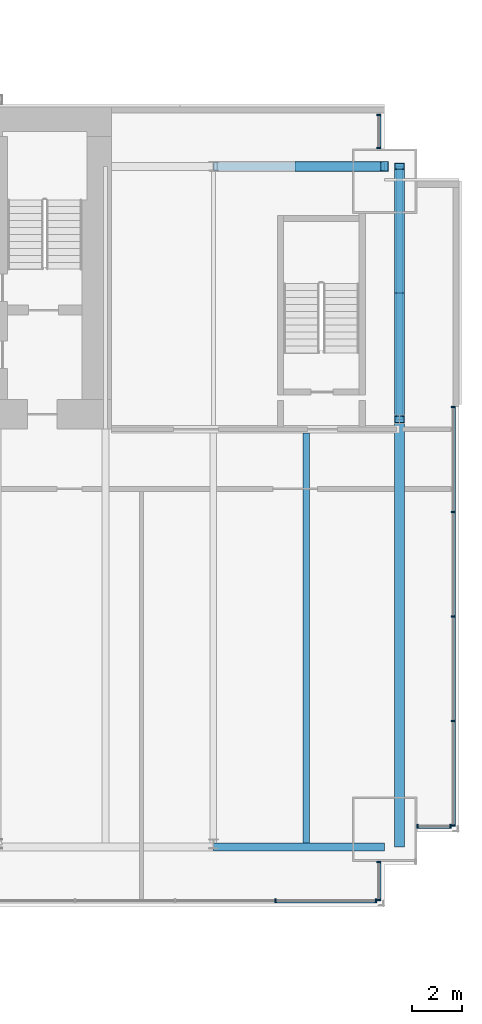
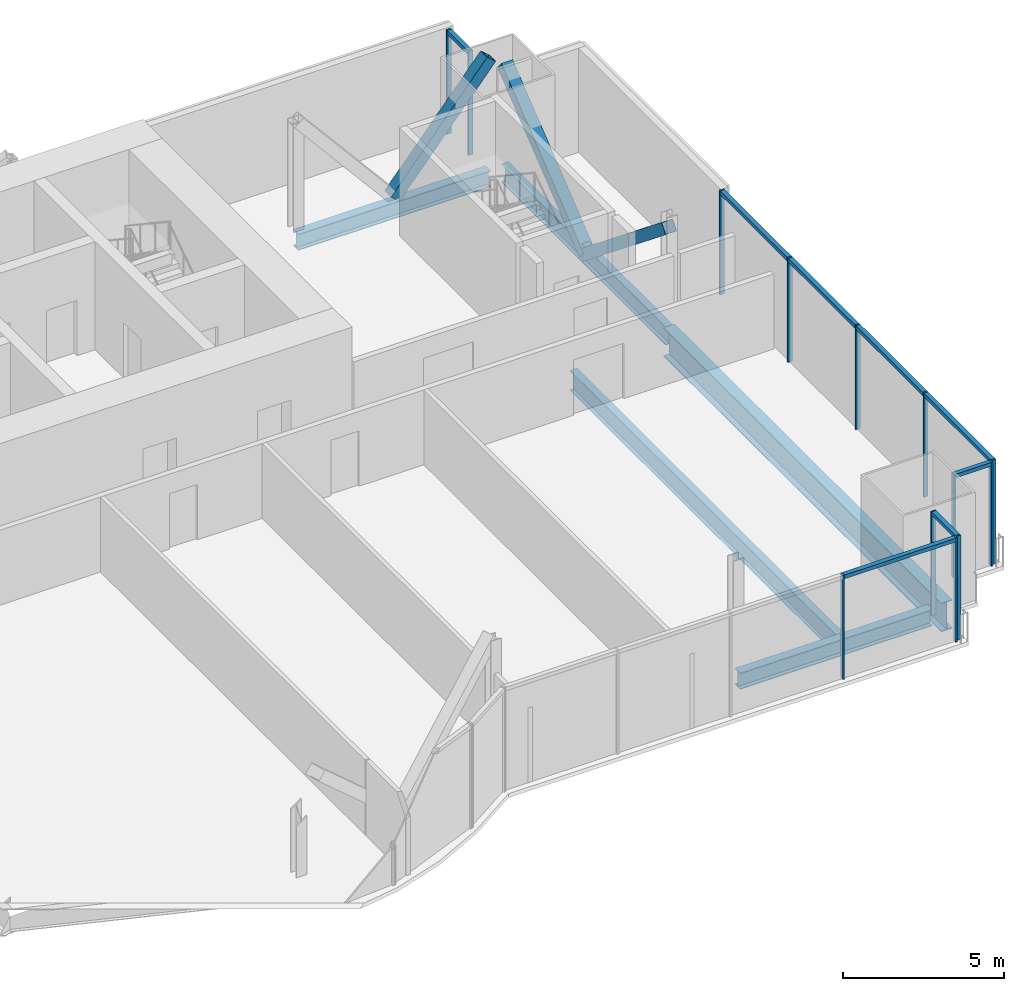
# One storey, part 12 of 20: 24 members, 5 beams, 5 elements without a shape of their own.
"""IFC4 building model written with IfcOpenShell, lengths in metres."""

from ifc_helpers import new_model, si_unit, direction, frame, origin, origin_2d, place, context, subcontext, project, spatial, rectangle, hollow_rectangle, i_section, extrude, material, material_profile, profile_set, type_object, element, aggregate, save


model = new_model("IFC4")

# Units and contexts
model_context = context("Model", 3, precision=1e-05, world=origin(), true_north=direction((0.0, 1.0)))
body_context = subcontext(model_context, "Body", "Model", "MODEL_VIEW")
ifc_project = project(units=[si_unit("LENGTHUNIT", "METRE"), si_unit("AREAUNIT", "SQUARE_METRE"), si_unit("VOLUMEUNIT", "CUBIC_METRE"), si_unit("PLANEANGLEUNIT", "RADIAN"), si_unit("MASSUNIT", "GRAM", prefix="KILO")], contexts=[model_context])

# Site, building, storey
site_placement = place(None, origin())
site = spatial("IfcSite", under=ifc_project, at=site_placement, CompositionType="ELEMENT")
building_placement = place(site_placement, origin())
building = spatial("IfcBuilding", under=site, at=building_placement, Name="Bicima Exchange Tower", CompositionType="ELEMENT")
storey_placement = place(building_placement, frame((0.0, 0.0, 207.300048828125)))
storey = spatial("IfcBuildingStorey", under=building, at=storey_placement, Name="L46", CompositionType="ELEMENT", Elevation=207.300048828125)

# Curtain wall, members
ifc_material_1 = material(Name="Anodised bronze aluminium", Category="aluminium")
curtain_wall_type_1 = type_object("IfcCurtainWallType", Name="End face glass wall", PredefinedType="NOTDEFINED", material=ifc_material_1)
curtain_wall_1_placement = place(storey_placement, origin())
curtain_wall_1 = element("IfcCurtainWall", 1, at=curtain_wall_1_placement, inside=storey, type_object=curtain_wall_type_1, Name="End face glass wall L46 run 19", PredefinedType="NOTDEFINED")
ifc_material_profile_1 = material_profile(ifc_material_1, rectangle(XDim=0.159912109375, YDim=0.06005859375, at=origin_2d()))
ifc_profile_set_1 = profile_set([ifc_material_profile_1], Name="Anodised bronze aluminium")
member_type_1 = type_object("IfcMemberType", Name="End face glass wall mullion 60 x 160", PredefinedType="MULLION", material=ifc_profile_set_1)
member_1_placement = place(storey_placement, frame((35.77001953125, -28.97998046875, 0.0), z_axis=(0.0, 0.0, 1.0), x_axis=(-1.0, 0.0, 0.0)))
member_1 = element("IfcMember", 2, at=member_1_placement, type_object=member_type_1, Name="End face glass wall mullion 1", PredefinedType="MULLION", context=body_context, shape_type="SweptSolid", body=[
    extrude(rectangle(XDim=0.159912109375, YDim=0.06005859375, at=origin_2d()), origin(), (0.0, 0.0, 1.0), 3.949951171875),
])
member_2_placement = place(storey_placement, frame((35.77001953125, -24.762451171875, 0.0), z_axis=(0.0, 0.0, 1.0), x_axis=(-1.0, 0.0, 0.0)))
member_2 = element("IfcMember", 3, at=member_2_placement, type_object=member_type_1, Name="End face glass wall mullion 2", PredefinedType="MULLION", context=body_context, shape_type="SweptSolid", body=[
    extrude(rectangle(XDim=0.159912109375, YDim=0.06005859375, at=origin_2d()), origin(), (0.0, 0.0, 1.0), 3.949951171875),
])
member_3_placement = place(storey_placement, frame((35.77001953125, -20.544921875, 0.0), z_axis=(0.0, 0.0, 1.0), x_axis=(-1.0, 0.0, 0.0)))
member_3 = element("IfcMember", 4, at=member_3_placement, type_object=member_type_1, Name="End face glass wall mullion 3", PredefinedType="MULLION", context=body_context, shape_type="SweptSolid", body=[
    extrude(rectangle(XDim=0.159912109375, YDim=0.06005859375, at=origin_2d()), origin(), (0.0, 0.0, 1.0), 3.949951171875),
])
member_4_placement = place(storey_placement, frame((35.77001953125, -16.327392578125, 0.0), z_axis=(0.0, 0.0, 1.0), x_axis=(-1.0, 0.0, 0.0)))
member_4 = element("IfcMember", 5, at=member_4_placement, type_object=member_type_1, Name="End face glass wall mullion 4", PredefinedType="MULLION", context=body_context, shape_type="SweptSolid", body=[
    extrude(rectangle(XDim=0.159912109375, YDim=0.06005859375, at=origin_2d()), origin(), (0.0, 0.0, 1.0), 3.949951171875),
])
member_5_placement = place(storey_placement, frame((35.77001953125, -12.110107421875, 0.0), z_axis=(0.0, 0.0, 1.0), x_axis=(-1.0, 0.0, 0.0)))
member_5 = element("IfcMember", 6, at=member_5_placement, type_object=member_type_1, Name="End face glass wall mullion 5", PredefinedType="MULLION", context=body_context, shape_type="SweptSolid", body=[
    extrude(rectangle(XDim=0.159912109375, YDim=0.06005859375, at=origin_2d()), origin(), (0.0, 0.0, 1.0), 3.949951171875),
])
ifc_material_profile_2 = material_profile(ifc_material_1, rectangle(XDim=0.159912109375, YDim=0.139892578125, at=origin_2d()))
ifc_profile_set_2 = profile_set([ifc_material_profile_2], Name="Anodised bronze aluminium")
member_type_2 = type_object("IfcMemberType", Name="End face glass wall transom 140 x 160", PredefinedType="USERDEFINED", material=ifc_profile_set_2)
member_6_placement = place(storey_placement, frame((35.77001953125, -28.949951171875, 3.8798828125), z_axis=(0.0, 1.0, 0.0), x_axis=(-1.0, 0.0, 0.0)))
member_6 = element("IfcMember", 7, at=member_6_placement, type_object=member_type_2, Name="End face glass wall transom 1.1", ObjectType="TRANSOM", PredefinedType="USERDEFINED", context=body_context, shape_type="SweptSolid", body=[
    extrude(rectangle(XDim=0.159912109375, YDim=0.139892578125, at=origin_2d()), origin(), (0.0, 0.0, 1.0), 4.157470703125),
])
member_7_placement = place(storey_placement, frame((35.77001953125, -24.732421875, 3.8798828125), z_axis=(0.0, 1.0, 0.0), x_axis=(-1.0, 0.0, 0.0)))
member_7 = element("IfcMember", 8, at=member_7_placement, type_object=member_type_2, Name="End face glass wall transom 2.1", ObjectType="TRANSOM", PredefinedType="USERDEFINED", context=body_context, shape_type="SweptSolid", body=[
    extrude(rectangle(XDim=0.159912109375, YDim=0.139892578125, at=origin_2d()), origin(), (0.0, 0.0, 1.0), 4.157470703125),
])
member_8_placement = place(storey_placement, frame((35.77001953125, -20.514892578125, 3.8798828125), z_axis=(0.0, 1.0, 0.0), x_axis=(-1.0, 0.0, 0.0)))
member_8 = element("IfcMember", 9, at=member_8_placement, type_object=member_type_2, Name="End face glass wall transom 3.1", ObjectType="TRANSOM", PredefinedType="USERDEFINED", context=body_context, shape_type="SweptSolid", body=[
    extrude(rectangle(XDim=0.159912109375, YDim=0.139892578125, at=origin_2d()), origin(), (0.0, 0.0, 1.0), 4.157470703125),
])
member_9_placement = place(storey_placement, frame((35.77001953125, -16.297607421875, 3.8798828125), z_axis=(0.0, 1.0, 0.0), x_axis=(-1.0, 0.0, 0.0)))
member_9 = element("IfcMember", 10, at=member_9_placement, type_object=member_type_2, Name="End face glass wall transom 4.1", ObjectType="TRANSOM", PredefinedType="USERDEFINED", context=body_context, shape_type="SweptSolid", body=[
    extrude(rectangle(XDim=0.159912109375, YDim=0.139892578125, at=origin_2d()), origin(), (0.0, 0.0, 1.0), 4.15771484375),
])
aggregate(curtain_wall_1, [member_1, member_2, member_3, member_4, member_5, member_6, member_7, member_8, member_9])

# Beams
ifc_material_2 = material(Name="Steel ASTM A992 Gr 50", Category="steel")
ifc_material_profile_3 = material_profile(ifc_material_2, i_section(OverallWidth=0.256591796875, OverallDepth=0.693359375, WebThickness=0.014404296875, FlangeThickness=0.023681640625, at=origin_2d()))
ifc_profile_set_3 = profile_set([ifc_material_profile_3], Name="Steel ASTM A992 Gr 50")
beam_type_1 = type_object("IfcBeamType", Name="End girder W27x114", PredefinedType="BEAM", material=ifc_profile_set_3)
beam_1_placement = place(storey_placement, frame((33.60009765625, -2.39990234375, -0.496826171875), z_axis=(0.0, -1.0, 0.0), x_axis=(1.0, 0.0, 0.0)))
element("IfcBeam", 11, at=beam_1_placement, inside=storey, type_object=beam_type_1, Name="End girder", PredefinedType="BEAM", context=body_context, shape_type="SweptSolid", body=[
    extrude(i_section(OverallWidth=0.256591796875, OverallDepth=0.693359375, WebThickness=0.014404296875, FlangeThickness=0.023681640625, at=origin_2d()), origin(), (0.0, 0.0, 1.0), 10.2001953125),
])
ifc_material_profile_4 = material_profile(ifc_material_2, i_section(OverallWidth=0.4013671875, OverallDepth=1.089599609375, WebThickness=0.01806640625, FlangeThickness=0.031005859375, at=origin_2d()))
ifc_profile_set_4 = profile_set([ifc_material_profile_4], Name="Steel ASTM A992 Gr 50")
beam_type_2 = type_object("IfcBeamType", Name="End girder W44x230", PredefinedType="BEAM", material=ifc_profile_set_4)
beam_2_placement = place(storey_placement, frame((33.60009765625, -12.60009765625, -0.69482421875), z_axis=(0.0, -1.0, 0.0), x_axis=(1.0, 0.0, 0.0)))
element("IfcBeam", 12, at=beam_2_placement, inside=storey, type_object=beam_type_2, Name="End girder", PredefinedType="BEAM", context=body_context, shape_type="SweptSolid", body=[
    extrude(i_section(OverallWidth=0.4013671875, OverallDepth=1.089599609375, WebThickness=0.01806640625, FlangeThickness=0.031005859375, at=origin_2d()), origin(), (0.0, 0.0, 1.0), 17.239990234375),
])
ifc_material_profile_5 = material_profile(ifc_material_2, i_section(OverallWidth=0.2666015625, OverallDepth=0.75439453125, WebThickness=0.01318359375, FlangeThickness=0.01708984375, at=origin_2d()))
ifc_profile_set_5 = profile_set([ifc_material_profile_5], Name="Steel ASTM A992 Gr 50")
beam_type_3 = type_object("IfcBeamType", Name="Floor beam W30x99", PredefinedType="JOIST", material=ifc_profile_set_5)
beam_3_placement = place(storey_placement, frame((29.85009765625, -13.15234375, -0.52734375), z_axis=(0.0, -1.0, 0.0), x_axis=(1.0, 0.0, 0.0)))
element("IfcBeam", 13, at=beam_3_placement, inside=storey, type_object=beam_type_3, Name="Floor beam", PredefinedType="JOIST", context=body_context, shape_type="SweptSolid", body=[
    extrude(i_section(OverallWidth=0.2666015625, OverallDepth=0.75439453125, WebThickness=0.01318359375, FlangeThickness=0.01708984375, at=origin_2d()), origin(), (0.0, 0.0, 1.0), 16.525146484375),
])
ifc_material_profile_6 = material_profile(ifc_material_2, i_section(OverallWidth=0.3251953125, OverallDepth=0.612060546875, WebThickness=0.0126953125, FlangeThickness=0.01904296875, at=origin_2d()))
ifc_profile_set_6 = profile_set([ifc_material_profile_6], Name="Steel ASTM A992 Gr 50")
beam_type_4 = type_object("IfcBeamType", Name="Front girder W24x104", PredefinedType="BEAM", material=ifc_profile_set_6)
beam_4_placement = place(storey_placement, frame((26.10009765625, -29.840087890625, -0.4560546875), z_axis=(1.0, 0.0, 0.0), x_axis=(0.0, 1.0, 0.0)))
element("IfcBeam", 14, at=beam_4_placement, inside=storey, type_object=beam_type_4, Name="Front girder", PredefinedType="BEAM", context=body_context, shape_type="SweptSolid", body=[
    extrude(i_section(OverallWidth=0.3251953125, OverallDepth=0.612060546875, WebThickness=0.0126953125, FlangeThickness=0.01904296875, at=origin_2d()), origin(), (0.0, 0.0, 1.0), 6.89990234375),
])

# Curtain wall, members
curtain_wall_type_2 = type_object("IfcCurtainWallType", Name="Front glass wall", PredefinedType="NOTDEFINED", material=ifc_material_1)
curtain_wall_2_placement = place(storey_placement, origin())
curtain_wall_2 = element("IfcCurtainWall", 15, at=curtain_wall_2_placement, inside=storey, type_object=curtain_wall_type_2, Name="Front glass wall L46 run 16", PredefinedType="NOTDEFINED")
member_type_3 = type_object("IfcMemberType", Name="Front glass wall mullion 60 x 160", PredefinedType="MULLION", material=ifc_profile_set_1)
member_10_placement = place(storey_placement, frame((28.610595703125, -32.010009765625, 0.0), z_axis=(0.0, 0.0, 1.0), x_axis=(0.0, 1.0, 0.0)))
member_10 = element("IfcMember", 16, at=member_10_placement, type_object=member_type_3, Name="Front glass wall mullion 4", PredefinedType="MULLION", context=body_context, shape_type="SweptSolid", body=[
    extrude(rectangle(XDim=0.159912109375, YDim=0.06005859375, at=origin_2d()), origin(), (0.0, 0.0, 1.0), 3.949951171875),
])
member_11_placement = place(storey_placement, frame((32.659912109375, -32.010009765625, 0.0), z_axis=(0.0, 0.0, 1.0), x_axis=(0.0, 1.0, 0.0)))
member_11 = element("IfcMember", 17, at=member_11_placement, type_object=member_type_3, Name="Front glass wall mullion 5", PredefinedType="MULLION", context=body_context, shape_type="SweptSolid", body=[
    extrude(rectangle(XDim=0.159912109375, YDim=0.06005859375, at=origin_2d()), origin(), (0.0, 0.0, 1.0), 3.949951171875),
])

curtain_wall_3_placement = place(storey_placement, origin())
curtain_wall_3 = element("IfcCurtainWall", 18, at=curtain_wall_3_placement, inside=storey, type_object=curtain_wall_type_2, Name="Front glass wall L46 run 17", PredefinedType="NOTDEFINED")
member_12_placement = place(storey_placement, frame((32.77001953125, -31.97998046875, 0.0), z_axis=(0.0, 0.0, 1.0), x_axis=(-1.0, 0.0, 0.0)))
member_12 = element("IfcMember", 19, at=member_12_placement, type_object=member_type_3, Name="Front glass wall mullion 1", PredefinedType="MULLION", context=body_context, shape_type="SweptSolid", body=[
    extrude(rectangle(XDim=0.159912109375, YDim=0.06005859375, at=origin_2d()), origin(), (0.0, 0.0, 1.0), 3.949951171875),
])
member_13_placement = place(storey_placement, frame((32.77001953125, -30.447998046875, 0.0), z_axis=(0.0, 0.0, 1.0), x_axis=(-1.0, 0.0, 0.0)))
member_13 = element("IfcMember", 20, at=member_13_placement, type_object=member_type_3, Name="Front glass wall mullion 2", PredefinedType="MULLION", context=body_context, shape_type="SweptSolid", body=[
    extrude(rectangle(XDim=0.159912109375, YDim=0.06005859375, at=origin_2d()), origin(), (0.0, 0.0, 1.0), 3.949951171875),
])

curtain_wall_4_placement = place(storey_placement, origin())
curtain_wall_4 = element("IfcCurtainWall", 21, at=curtain_wall_4_placement, inside=storey, type_object=curtain_wall_type_2, Name="Front glass wall L46 run 18", PredefinedType="NOTDEFINED")
member_14_placement = place(storey_placement, frame((34.330078125, -29.010009765625, 0.0), z_axis=(0.0, 0.0, 1.0), x_axis=(0.0, 1.0, 0.0)))
member_14 = element("IfcMember", 22, at=member_14_placement, type_object=member_type_3, Name="Front glass wall mullion 1", PredefinedType="MULLION", context=body_context, shape_type="SweptSolid", body=[
    extrude(rectangle(XDim=0.159912109375, YDim=0.06005859375, at=origin_2d()), origin(), (0.0, 0.0, 1.0), 3.949951171875),
])
member_15_placement = place(storey_placement, frame((35.659912109375, -29.010009765625, 0.0), z_axis=(0.0, 0.0, 1.0), x_axis=(0.0, 1.0, 0.0)))
member_15 = element("IfcMember", 23, at=member_15_placement, type_object=member_type_3, Name="Front glass wall mullion 2", PredefinedType="MULLION", context=body_context, shape_type="SweptSolid", body=[
    extrude(rectangle(XDim=0.159912109375, YDim=0.06005859375, at=origin_2d()), origin(), (0.0, 0.0, 1.0), 3.949951171875),
])

curtain_wall_5_placement = place(storey_placement, origin())
curtain_wall_5 = element("IfcCurtainWall", 24, at=curtain_wall_5_placement, inside=storey, type_object=curtain_wall_type_2, Name="Front glass wall L46 run 20", PredefinedType="NOTDEFINED")
member_16_placement = place(storey_placement, frame((32.77001953125, -1.669921875, 0.0), z_axis=(0.0, 0.0, 1.0), x_axis=(-1.0, 0.0, 0.0)))
member_16 = element("IfcMember", 25, at=member_16_placement, type_object=member_type_3, Name="Front glass wall mullion 1", PredefinedType="MULLION", context=body_context, shape_type="SweptSolid", body=[
    extrude(rectangle(XDim=0.159912109375, YDim=0.06005859375, at=origin_2d()), origin(), (0.0, 0.0, 1.0), 3.949951171875),
])
member_17_placement = place(storey_placement, frame((32.77001953125, -0.340087890625, 0.0), z_axis=(0.0, 0.0, 1.0), x_axis=(-1.0, 0.0, 0.0)))
member_17 = element("IfcMember", 26, at=member_17_placement, type_object=member_type_3, Name="Front glass wall mullion 2", PredefinedType="MULLION", context=body_context, shape_type="SweptSolid", body=[
    extrude(rectangle(XDim=0.159912109375, YDim=0.06005859375, at=origin_2d()), origin(), (0.0, 0.0, 1.0), 3.949951171875),
])

# Member
member_type_4 = type_object("IfcMemberType", Name="Front glass wall transom 140 x 160", PredefinedType="USERDEFINED", material=ifc_profile_set_2)
member_18_placement = place(storey_placement, frame((28.640380859375, -32.010009765625, 3.8798828125), z_axis=(1.0, 0.0, 0.0), x_axis=(0.0, 1.0, 0.0)))
member_18 = element("IfcMember", 27, at=member_18_placement, type_object=member_type_4, Name="Front glass wall transom 4.1", ObjectType="TRANSOM", PredefinedType="USERDEFINED", context=body_context, shape_type="SweptSolid", body=[
    extrude(rectangle(XDim=0.159912109375, YDim=0.139892578125, at=origin_2d()), origin(), (0.0, 0.0, 1.0), 3.989501953125),
])

aggregate(curtain_wall_2, [member_10, member_11, member_18])

member_19_placement = place(storey_placement, frame((32.77001953125, -31.949951171875, 3.8798828125), z_axis=(0.0, 1.0, 0.0), x_axis=(-1.0, 0.0, 0.0)))
member_19 = element("IfcMember", 28, at=member_19_placement, type_object=member_type_4, Name="Front glass wall transom 1.1", ObjectType="TRANSOM", PredefinedType="USERDEFINED", context=body_context, shape_type="SweptSolid", body=[
    extrude(rectangle(XDim=0.159912109375, YDim=0.139892578125, at=origin_2d()), origin(), (0.0, 0.0, 1.0), 1.471923828125),
])

aggregate(curtain_wall_3, [member_12, member_13, member_19])

member_20_placement = place(storey_placement, frame((34.360107421875, -29.010009765625, 3.8798828125), z_axis=(1.0, 0.0, 0.0), x_axis=(0.0, 1.0, 0.0)))
member_20 = element("IfcMember", 29, at=member_20_placement, type_object=member_type_4, Name="Front glass wall transom 1.1", ObjectType="TRANSOM", PredefinedType="USERDEFINED", context=body_context, shape_type="SweptSolid", body=[
    extrude(rectangle(XDim=0.159912109375, YDim=0.139892578125, at=origin_2d()), origin(), (0.0, 0.0, 1.0), 1.269775390625),
])

aggregate(curtain_wall_4, [member_14, member_15, member_20])

member_21_placement = place(storey_placement, frame((32.77001953125, -1.639892578125, 3.8798828125), z_axis=(0.0, 1.0, 0.0), x_axis=(-1.0, 0.0, 0.0)))
member_21 = element("IfcMember", 30, at=member_21_placement, type_object=member_type_4, Name="Front glass wall transom 1.1", ObjectType="TRANSOM", PredefinedType="USERDEFINED", context=body_context, shape_type="SweptSolid", body=[
    extrude(rectangle(XDim=0.159912109375, YDim=0.139892578125, at=origin_2d()), origin(), (0.0, 0.0, 1.0), 1.269775390625),
])

aggregate(curtain_wall_5, [member_16, member_17, member_21])

# Members
ifc_material_3 = material(Name="Steel ASTM A572 Gr 50", Category="steel")
ifc_material_profile_7 = material_profile(ifc_material_3, hollow_rectangle(XDim=0.406494140625, YDim=0.406494140625, WallThickness=0.0146484375, at=origin_2d()))
ifc_profile_set_7 = profile_set([ifc_material_profile_7], Name="Steel ASTM A572 Gr 50")
member_type_5 = type_object("IfcMemberType", Name="Mega brace HSS16x16x5/8", PredefinedType="BRACE", material=ifc_profile_set_7)
member_22_placement = place(storey_placement, frame((29.550048828125, -2.39990234375, 0.0), z_axis=(0.643856488545, 0.0, 0.765146275008), x_axis=(0.0, 1.0, 0.0)))
element("IfcMember", 31, at=member_22_placement, inside=storey, type_object=member_type_5, Name="Mega brace rear", PredefinedType="BRACE", context=body_context, shape_type="SweptSolid", body=[
    extrude(hollow_rectangle(XDim=0.406494140625, YDim=0.406494140625, WallThickness=0.0146484375, at=origin_2d()), origin(), (0.0, 0.0, 1.0), 5.358154296875),
])
for number, where, z_axis, x_axis, name in (
    (32, (33.60009765625, -7.5, -0.496826171875), (0.0, -0.779374241895, 0.626558689247), (1.0, 0.0, 0.0), "Mega brace east end"),
    (33, (33.60009765625, -7.5, -0.496826171875), (0.0, 0.779374241895, 0.626558689247), (-1.0, 0.0, 0.0), "Mega brace east end"),
):
    element("IfcMember", number, at=place(storey_placement, frame(where, z_axis=z_axis, x_axis=x_axis)), inside=storey, type_object=member_type_5, Name=name, PredefinedType="BRACE", context=body_context, shape_type="SweptSolid", body=[
        extrude(hollow_rectangle(XDim=0.406494140625, YDim=0.406494140625, WallThickness=0.0146484375, at=origin_2d()), origin(), (0.0, 0.0, 1.0), 6.5439453125),
    ])

# Beam
beam_type_5 = type_object("IfcBeamType", Name="Rear girder W24x104", PredefinedType="BEAM", material=ifc_profile_set_6)
beam_5_placement = place(storey_placement, frame((26.10009765625, -2.39990234375, -0.4560546875), z_axis=(1.0, 0.0, 0.0), x_axis=(0.0, 1.0, 0.0)))
element("IfcBeam", 34, at=beam_5_placement, inside=storey, type_object=beam_type_5, Name="Rear girder", PredefinedType="BEAM", context=body_context, shape_type="SweptSolid", body=[
    extrude(i_section(OverallWidth=0.3251953125, OverallDepth=0.612060546875, WebThickness=0.0126953125, FlangeThickness=0.01904296875, at=origin_2d()), origin(), (0.0, 0.0, 1.0), 6.89990234375),
])

save(model, "model.ifc")
